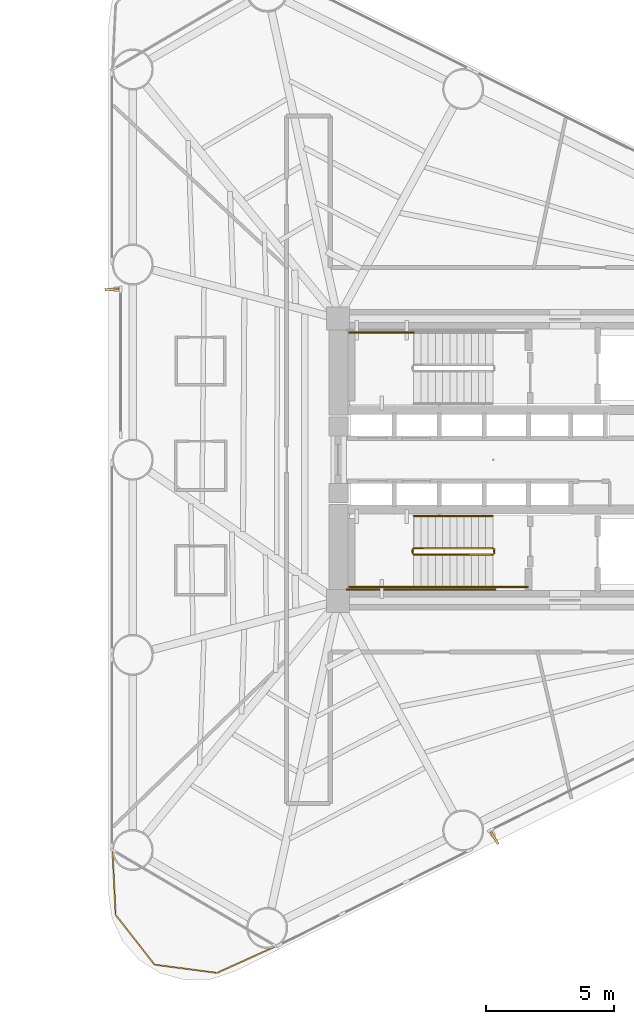
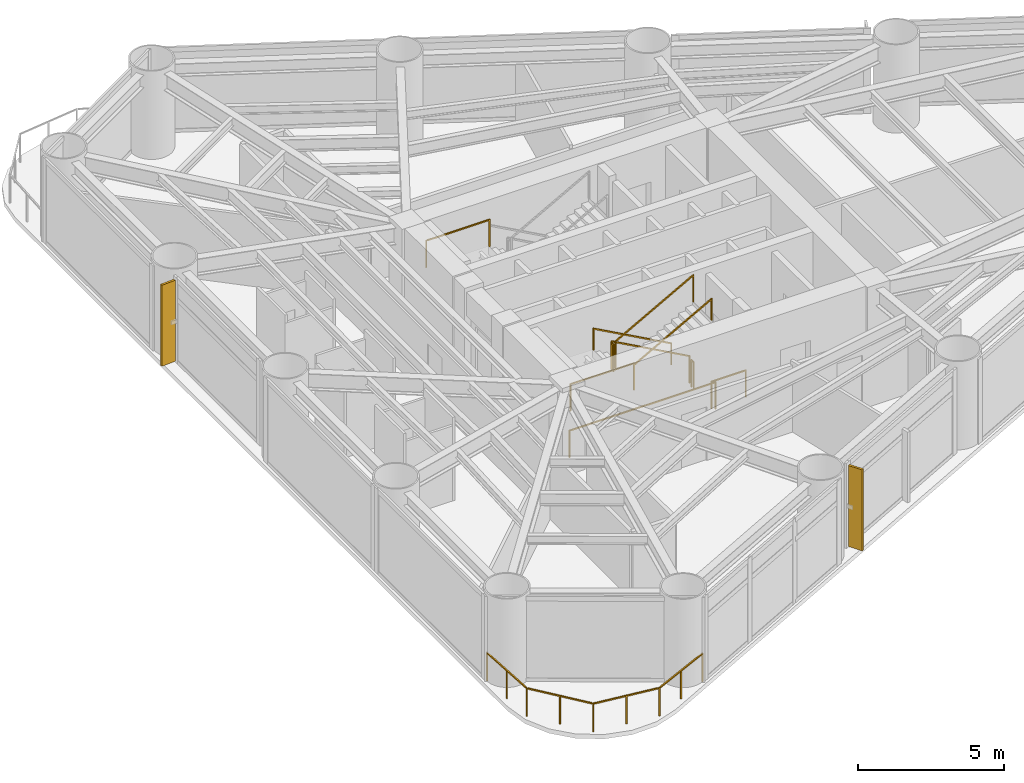
# One storey, part 8 of 10: 11 railings, 2 shading devices.
"""IFC4 building model written with IfcOpenShell, lengths in metres."""

from ifc_helpers import new_model, si_unit, direction, frame, origin, origin_2d, place, context, subcontext, project, spatial, rectangle, extrude, source, transform, mapped, material, material_profile, profile_set, type_object, element, save


model = new_model("IFC4")

# Units and contexts
model_context = context("Model", 3, precision=1e-05, world=origin(), true_north=direction((0.0, 1.0)))
body_context = subcontext(model_context, "Body", "Model", "MODEL_VIEW")
ifc_project = project(units=[si_unit("LENGTHUNIT", "METRE"), si_unit("AREAUNIT", "SQUARE_METRE"), si_unit("VOLUMEUNIT", "CUBIC_METRE"), si_unit("PLANEANGLEUNIT", "RADIAN"), si_unit("MASSUNIT", "GRAM", prefix="KILO")], contexts=[model_context])

# Site, building, storey
site_placement = place(None, origin())
site = spatial("IfcSite", under=ifc_project, at=site_placement, CompositionType="ELEMENT")
building_placement = place(site_placement, origin())
building = spatial("IfcBuilding", under=site, at=building_placement, Name="Yunling Apex Tower", CompositionType="ELEMENT")
storey_placement = place(building_placement, frame((0.0, 0.0, 23.800048828125)))
storey = spatial("IfcBuildingStorey", under=building, at=storey_placement, Name="L07", CompositionType="ELEMENT", Elevation=23.800048828125)

# Railings
ifc_material_1 = material(Name="Bronze anodised aluminium", Category="aluminium")
railing_type_1 = type_object("IfcRailingType", Name="RL-BAL-1200", PredefinedType="BALUSTRADE", material=ifc_material_1)
railing_1_placement = place(storey_placement, frame((-8.45947265625, -18.965087890625, 0.0)))
element("IfcRailing", 1, at=railing_1_placement, inside=storey, type_object=railing_type_1, Name="RL-CRNSILL-L07-3", PredefinedType="BALUSTRADE", context=body_context, shape_type="SweptSolid", body=[
    extrude(rectangle(XDim=0.0439453125, YDim=0.0439453125, at=origin_2d()), origin(), (0.0, 0.0, 1.0), 1.199951171875),
    extrude(rectangle(XDim=0.0439453125, YDim=0.0439453125, at=origin_2d()), frame((-2.30712890625, -1.04296875, 0.0)), (0.0, 0.0, 1.0), 1.199951171875),
    extrude(rectangle(XDim=0.050048828125, YDim=0.050048828125, at=origin_2d()), frame((-0.034912109375, -0.015869140625, 1.1748046875), z_axis=(-0.911216522497, -0.411927723186, 0.0), x_axis=(0.411927723186, -0.911216522497, 0.0)), (0.0, 0.0, 1.0), 2.455322265625),
    extrude(rectangle(XDim=0.0439453125, YDim=0.0439453125, at=origin_2d()), frame((-1.153564453125, -0.521484375, 0.0)), (0.0, 0.0, 1.0), 1.14599609375),
    extrude(rectangle(XDim=0.0439453125, YDim=0.0439453125, at=origin_2d()), frame((-4.741943359375, -0.723388671875, 0.0)), (0.0, 0.0, 1.0), 1.199951171875),
    extrude(rectangle(XDim=0.050048828125, YDim=0.050048828125, at=origin_2d()), frame((-2.34521484375, -1.0380859375, 1.1748046875), z_axis=(-0.991495866646, 0.130138182035, 0.0), x_axis=(-0.130138182035, -0.991495866646, 0.0)), (0.0, 0.0, 1.0), 2.379150390625),
    extrude(rectangle(XDim=0.0439453125, YDim=0.0439453125, at=origin_2d()), frame((-3.5244140625, -0.88330078125, 0.0)), (0.0, 0.0, 1.0), 1.14599609375),
    extrude(rectangle(XDim=0.0439453125, YDim=0.0439453125, at=origin_2d()), frame((-6.258544921875, 1.21826171875, 0.0)), (0.0, 0.0, 1.0), 1.199951171875),
    extrude(rectangle(XDim=0.050048828125, YDim=0.050048828125, at=origin_2d()), frame((-4.765625, -0.693115234375, 1.1748046875), z_axis=(-0.615565197226, 0.788085964832, 0.0), x_axis=(-0.788085964832, -0.615565197226, 0.0)), (0.0, 0.0, 1.0), 2.38720703125),
    extrude(rectangle(XDim=0.0439453125, YDim=0.0439453125, at=origin_2d()), frame((-5.500244140625, 0.24755859375, 0.0)), (0.0, 0.0, 1.0), 1.14599609375),
    extrude(rectangle(XDim=0.0439453125, YDim=0.0439453125, at=origin_2d()), frame((-6.382568359375, 3.74609375, 0.0)), (0.0, 0.0, 1.0), 1.199951171875),
    extrude(rectangle(XDim=0.050048828125, YDim=0.050048828125, at=origin_2d()), frame((-6.260498046875, 1.256591796875, 1.1748046875), z_axis=(-0.049004218115, 0.998798571588, 0.0), x_axis=(-0.998798571588, -0.049004218115, 0.0)), (0.0, 0.0, 1.0), 2.4541015625),
    extrude(rectangle(XDim=0.0439453125, YDim=0.0439453125, at=origin_2d()), frame((-6.320556640625, 2.482177734375, 0.0)), (0.0, 0.0, 1.0), 1.14599609375),
])
ifc_material_2 = material(Name="Steel Q355B", Category="steel")
railing_type_2 = type_object("IfcRailingType", Name="RL-GRD-1150", PredefinedType="GUARDRAIL", material=ifc_material_2)
railing_2_placement = place(storey_placement, frame((-3.090087890625, 4.9599609375, 1.849853515625)))
element("IfcRailing", 2, at=railing_2_placement, inside=storey, type_object=railing_type_2, Name="L07 ST-1 stair guard 3", PredefinedType="GUARDRAIL", context=body_context, shape_type="SweptSolid", body=[
    extrude(rectangle(XDim=0.0439453125, YDim=0.0439453125, at=origin_2d()), origin(), (0.0, 0.0, 1.0), 1.14990234375),
    extrude(rectangle(XDim=0.0439453125, YDim=0.0439453125, at=origin_2d()), frame((-2.510009765625, 0.0, 0.0)), (0.0, 0.0, 1.0), 1.14990234375),
    extrude(rectangle(XDim=0.050048828125, YDim=0.050048828125, at=origin_2d()), frame((-0.038330078125, 0.0, 1.125), z_axis=(-1.0, 0.0, 0.0), x_axis=(0.0, -1.0, 0.0)), (0.0, 0.0, 1.0), 2.433349609375),
])
railing_3_placement = place(storey_placement, frame((-0.010009765625, -3.449951171875, 0.154052734375)))
element("IfcRailing", 3, at=railing_3_placement, inside=storey, type_object=railing_type_2, Name="L07 ST-2 stair guard 1", PredefinedType="GUARDRAIL", context=body_context, shape_type="SweptSolid", body=[
    extrude(rectangle(XDim=0.0439453125, YDim=0.0439453125, at=origin_2d()), origin(), (0.0, 0.0, 1.0), 1.14990234375),
    extrude(rectangle(XDim=0.0439453125, YDim=0.0439453125, at=origin_2d()), frame((-3.080078125, 0.0, 1.69580078125)), (0.0, 0.0, 1.0), 1.14990234375),
    extrude(rectangle(XDim=0.050048828125, YDim=0.050048828125, at=origin_2d()), frame((-0.03369140625, 0.0, 1.143310546875), z_axis=(-0.876004717809, 0.0, 0.482302534076), x_axis=(0.0, -1.0, 0.0)), (0.0, 0.0, 1.0), 3.439453125),
])
railing_4_placement = place(storey_placement, frame((-3.139892578125, -3.5, 1.849853515625)))
element("IfcRailing", 4, at=railing_4_placement, inside=storey, type_object=railing_type_2, Name="L07 ST-2 stair guard 2", PredefinedType="GUARDRAIL", context=body_context, shape_type="SweptSolid", body=[
    extrude(rectangle(XDim=0.0439453125, YDim=0.0439453125, at=origin_2d()), origin(), (0.0, 0.0, 1.0), 1.14990234375),
    extrude(rectangle(XDim=0.0439453125, YDim=0.0439453125, at=origin_2d()), frame((0.0, -0.14990234375, 0.0)), (0.0, 0.0, 1.0), 1.14990234375),
    extrude(rectangle(XDim=0.050048828125, YDim=0.050048828125, at=origin_2d()), frame((0.0, -0.038330078125, 1.125), z_axis=(0.0, -1.0, 0.0), x_axis=(1.0, 0.0, 0.0)), (0.0, 0.0, 1.0), 0.0732421875),
])
railing_5_placement = place(storey_placement, frame((-3.090087890625, -4.9599609375, 1.849853515625)))
element("IfcRailing", 5, at=railing_5_placement, inside=storey, type_object=railing_type_2, Name="L07 ST-2 stair guard 3", PredefinedType="GUARDRAIL", context=body_context, shape_type="SweptSolid", body=[
    extrude(rectangle(XDim=0.0439453125, YDim=0.0439453125, at=origin_2d()), origin(), (0.0, 0.0, 1.0), 1.14990234375),
    extrude(rectangle(XDim=0.0439453125, YDim=0.0439453125, at=origin_2d()), frame((-2.510009765625, 0.0, 0.0)), (0.0, 0.0, 1.0), 1.14990234375),
    extrude(rectangle(XDim=0.050048828125, YDim=0.050048828125, at=origin_2d()), frame((-0.038330078125, 0.0, 1.125), z_axis=(-1.0, 0.0, 0.0), x_axis=(0.0, -1.0, 0.0)), (0.0, 0.0, 1.0), 2.433349609375),
])
railing_6_placement = place(storey_placement, frame((-3.090087890625, -3.699951171875, 2.004150390625)))
element("IfcRailing", 6, at=railing_6_placement, inside=storey, type_object=railing_type_2, Name="L07 ST-2 stair guard 4", PredefinedType="GUARDRAIL", context=body_context, shape_type="SweptSolid", body=[
    extrude(rectangle(XDim=0.0439453125, YDim=0.0439453125, at=origin_2d()), origin(), (0.0, 0.0, 1.0), 1.14990234375),
    extrude(rectangle(XDim=0.0439453125, YDim=0.0439453125, at=origin_2d()), frame((3.080078125, 0.0, 1.69580078125)), (0.0, 0.0, 1.0), 1.14990234375),
    extrude(rectangle(XDim=0.050048828125, YDim=0.050048828125, at=origin_2d()), frame((0.03369140625, 0.0, 1.143310546875), z_axis=(0.876004717809, 0.0, 0.482302534076), x_axis=(0.0, 1.0, 0.0)), (0.0, 0.0, 1.0), 3.439453125),
])
railing_7_placement = place(storey_placement, frame((0.0400390625, -3.5, 0.0)))
element("IfcRailing", 7, at=railing_7_placement, inside=storey, type_object=railing_type_2, Name="L07 ST-2 stair guard 5", PredefinedType="GUARDRAIL", context=body_context, shape_type="SweptSolid", body=[
    extrude(rectangle(XDim=0.0439453125, YDim=0.0439453125, at=origin_2d()), origin(), (0.0, 0.0, 1.0), 1.14990234375),
    extrude(rectangle(XDim=0.0439453125, YDim=0.0439453125, at=origin_2d()), frame((0.0, -0.14990234375, 0.0)), (0.0, 0.0, 1.0), 1.14990234375),
    extrude(rectangle(XDim=0.050048828125, YDim=0.050048828125, at=origin_2d()), frame((0.0, -0.038330078125, 1.125), z_axis=(0.0, -1.0, 0.0), x_axis=(1.0, 0.0, 0.0)), (0.0, 0.0, 1.0), 0.0732421875),
])
railing_8_placement = place(storey_placement, frame((1.35009765625, -4.9599609375, 0.0)))
element("IfcRailing", 8, at=railing_8_placement, inside=storey, type_object=railing_type_2, Name="L07 ST-2 stair guard 6", PredefinedType="GUARDRAIL", context=body_context, shape_type="SweptSolid", body=[
    extrude(rectangle(XDim=0.0439453125, YDim=0.0439453125, at=origin_2d()), origin(), (0.0, 0.0, 1.0), 1.14990234375),
    extrude(rectangle(XDim=0.0439453125, YDim=0.0439453125, at=origin_2d()), frame((-1.360107421875, 0.0, 0.0)), (0.0, 0.0, 1.0), 1.14990234375),
    extrude(rectangle(XDim=0.050048828125, YDim=0.050048828125, at=origin_2d()), frame((-0.038330078125, 0.0, 1.125), z_axis=(-1.0, 0.0, 0.0), x_axis=(0.0, -1.0, 0.0)), (0.0, 0.0, 1.0), 1.283447265625),
])
railing_9_placement = place(storey_placement, frame((0.090087890625, -5.06005859375, 0.0)))
element("IfcRailing", 9, at=railing_9_placement, inside=storey, type_object=railing_type_2, Name="L07 ST-2 stair guard 7", PredefinedType="GUARDRAIL", context=body_context, shape_type="SweptSolid", body=[
    extrude(rectangle(XDim=0.0439453125, YDim=0.0439453125, at=origin_2d()), origin(), (0.0, 0.0, 1.0), 1.14990234375),
    extrude(rectangle(XDim=0.0439453125, YDim=0.0439453125, at=origin_2d()), frame((-5.7900390625, 0.0, 0.0)), (0.0, 0.0, 1.0), 1.14990234375),
    extrude(rectangle(XDim=0.050048828125, YDim=0.050048828125, at=origin_2d()), frame((-0.038330078125, 0.0, 1.125), z_axis=(-1.0, 0.0, 0.0), x_axis=(0.0, -1.0, 0.0)), (0.0, 0.0, 1.0), 5.71337890625),
])
ifc_material_3 = material(Name="Silver anodised aluminium", Category="aluminium")
railing_type_3 = type_object("IfcRailingType", Name="RL-HND-900", PredefinedType="HANDRAIL", material=ifc_material_3)
railing_10_placement = place(storey_placement, frame((-0.010009765625, -2.18994140625, 0.154052734375)))
element("IfcRailing", 10, at=railing_10_placement, inside=storey, type_object=railing_type_3, Name="L07 ST-2 stair handrail 1", PredefinedType="HANDRAIL", context=body_context, shape_type="SweptSolid", body=[
    extrude(rectangle(XDim=0.0439453125, YDim=0.0439453125, at=origin_2d()), origin(), (0.0, 0.0, 1.0), 0.919921875),
    extrude(rectangle(XDim=0.0439453125, YDim=0.0439453125, at=origin_2d()), frame((-3.080078125, 0.0, 1.69580078125)), (0.0, 0.0, 1.0), 0.919921875),
    extrude(rectangle(XDim=0.050048828125, YDim=0.050048828125, at=origin_2d()), frame((-0.03369140625, 0.0, 0.913330078125), z_axis=(-0.876004717809, 0.0, 0.482302534076), x_axis=(0.0, -1.0, 0.0)), (0.0, 0.0, 1.0), 3.439453125),
])
railing_11_placement = place(storey_placement, frame((-3.090087890625, -4.9599609375, 2.004150390625)))
element("IfcRailing", 11, at=railing_11_placement, inside=storey, type_object=railing_type_3, Name="L07 ST-2 stair handrail 2", PredefinedType="HANDRAIL", context=body_context, shape_type="SweptSolid", body=[
    extrude(rectangle(XDim=0.0439453125, YDim=0.0439453125, at=origin_2d()), origin(), (0.0, 0.0, 1.0), 0.919921875),
    extrude(rectangle(XDim=0.0439453125, YDim=0.0439453125, at=origin_2d()), frame((3.080078125, 0.0, 1.69580078125)), (0.0, 0.0, 1.0), 0.919921875),
    extrude(rectangle(XDim=0.050048828125, YDim=0.050048828125, at=origin_2d()), frame((0.03369140625, 0.0, 0.913330078125), z_axis=(0.876004717809, 0.0, 0.482302534076), x_axis=(0.0, 1.0, 0.0)), (0.0, 0.0, 1.0), 3.439453125),
])

# Shading devices
ifc_material_profile = material_profile(ifc_material_1, rectangle(XDim=0.0849609375, YDim=0.550048828125, at=origin_2d()))
ifc_profile_set = profile_set([ifc_material_profile], Name="Bronze anodised aluminium")
shading_device_type = type_object("IfcShadingDeviceType", Name="FN-BRZ-3", PredefinedType="USERDEFINED", material=ifc_profile_set)
shared_shape = source(origin(), body_context, "Body", "SweptSolid", [
    extrude(rectangle(XDim=0.0849609375, YDim=0.550048828125, at=origin_2d()), origin(), (0.0, 0.0, 1.0), 3.39501953125),
])
for number, where, z_axis, x_axis, name in (
    (12, (0.0576171875, -14.75390625, 0.06005859375), (0.0, 0.0, 1.0), (0.864186995248, 0.503170783377, 0.0), "CW-L07-F1-B2-FIN-01"),
    (13, (-14.866943359375, 6.64697265625, 0.06005859375), (0.0, 0.0, 1.0), (0.06540312923, -0.997858923239, 0.0), "CW-L07-F3-B2-FIN-01"),
):
    element("IfcShadingDevice", number, at=place(storey_placement, frame(where, z_axis=z_axis, x_axis=x_axis)), inside=storey, type_object=shading_device_type, Name=name, ObjectType="FIN", PredefinedType="USERDEFINED", context=body_context, shape_type="MappedRepresentation", body=[
        mapped(shared_shape, transform((0.0, 0.0, 0.0), scale=1.0)),
    ])

save(model, "model.ifc")
